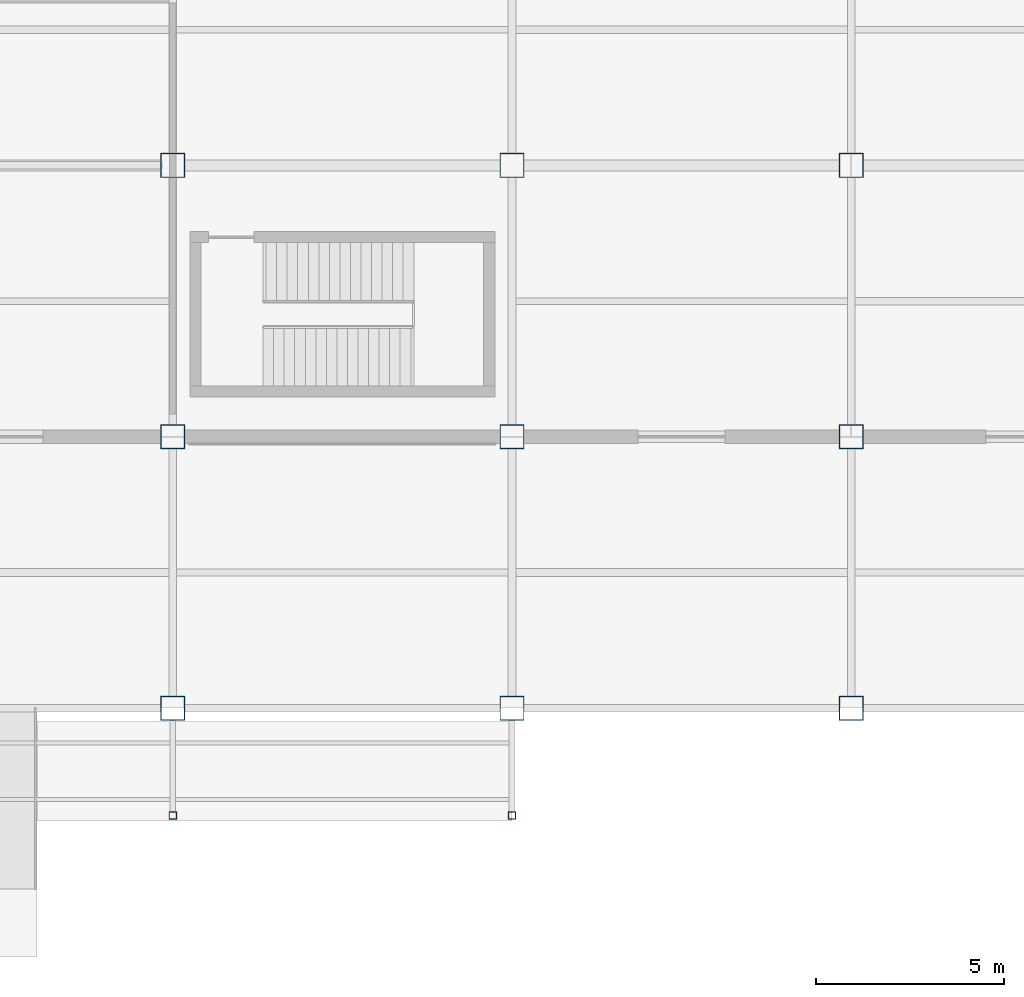
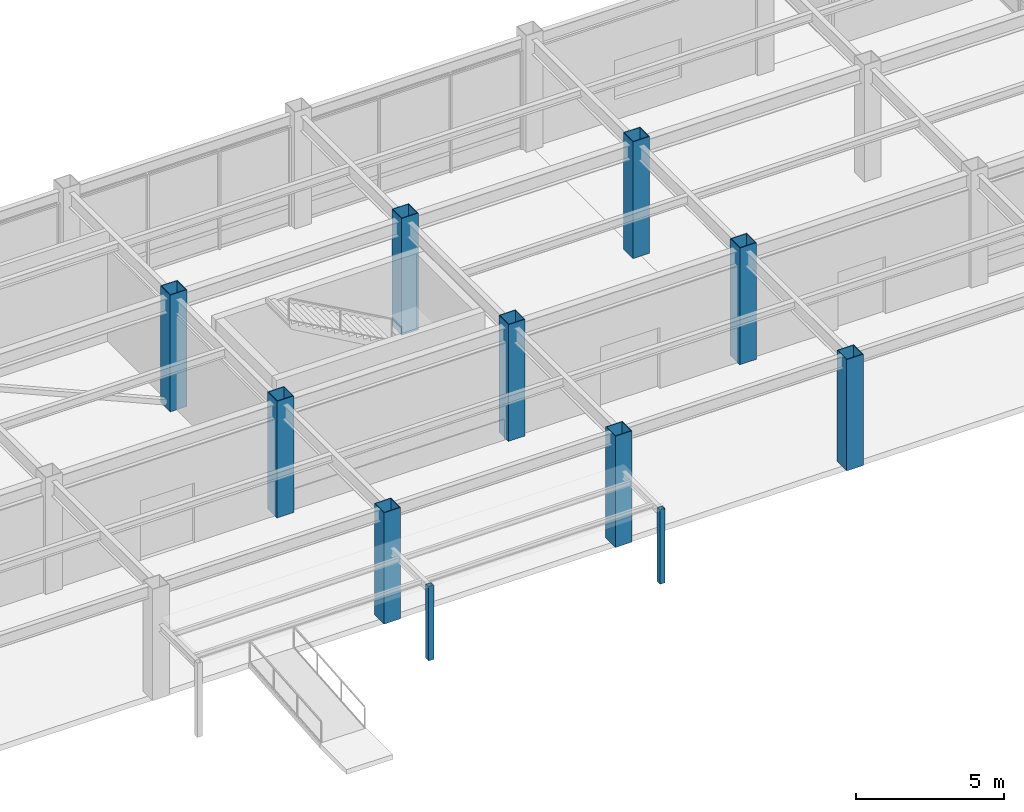
# One storey, part 6 of 112: 11 columns.
"""IFC4 building model written with IfcOpenShell, lengths in metres."""

from ifc_helpers import new_model, si_unit, direction, frame, origin, origin_2d, place, context, subcontext, project, spatial, hollow_rectangle, extrude, material, material_profile, profile_set, type_object, element, save


model = new_model("IFC4")

# Units and contexts
model_context = context("Model", 3, precision=1e-05, world=origin(), true_north=direction((0.0, 1.0)))
body_context = subcontext(model_context, "Body", "Model", "MODEL_VIEW")
ifc_project = project(units=[si_unit("LENGTHUNIT", "METRE"), si_unit("AREAUNIT", "SQUARE_METRE"), si_unit("VOLUMEUNIT", "CUBIC_METRE"), si_unit("PLANEANGLEUNIT", "RADIAN"), si_unit("MASSUNIT", "GRAM", prefix="KILO")], contexts=[model_context])

# Site, building, storey
site_placement = place(None, origin())
site = spatial("IfcSite", under=ifc_project, at=site_placement, CompositionType="ELEMENT")
building_placement = place(site_placement, origin())
building = spatial("IfcBuilding", under=site, at=building_placement, Name="Kazanami Central Library", CompositionType="ELEMENT")
storey_placement = place(building_placement, origin())
storey = spatial("IfcBuildingStorey", under=building, at=storey_placement, Name="L01", CompositionType="ELEMENT", Elevation=0.0)

# Columns
ifc_material_1 = material(Name="Steel BCP325 (325 MPa)", Category="steel")
ifc_material_profile_1 = material_profile(ifc_material_1, hollow_rectangle(XDim=0.64990234375, YDim=0.64990234375, WallThickness=0.02490234375, at=origin_2d()), Name="BCP-650x650x25")
ifc_profile_set_1 = profile_set([ifc_material_profile_1], Name="Steel BCP325 (325 MPa)")
column_type_1 = type_object("IfcColumnType", Name="COL-C-P1I", PredefinedType="COLUMN", material=ifc_profile_set_1)
column_1_placement = place(storey_placement, frame((72.0, 14.39990234375, 0.0), z_axis=(0.0, 0.0, 1.0), x_axis=(1.0, 0.0, 0.0)))
element("IfcColumn", 1, at=column_1_placement, inside=storey, type_object=column_type_1, Name="Column C-P1I L01 9/C", PredefinedType="COLUMN", context=body_context, shape_type="SweptSolid", body=[
    extrude(hollow_rectangle(XDim=0.64990234375, YDim=0.64990234375, WallThickness=0.02490234375, at=origin_2d()), origin(), (0.0, 0.0, 1.0), 4.580078125),
])
for number, where, z_axis, x_axis, name in (
    (2, (72.0, 21.60009765625, 0.0), (0.0, 0.0, 1.0), (1.0, 0.0, 0.0), "Column C-P1I L01 9/D"),
    (3, (72.0, 28.800048828125, 0.0), (0.0, 0.0, 1.0), (1.0, 0.0, 0.0), "Column C-P1I L01 9/E"),
):
    element("IfcColumn", number, at=place(storey_placement, frame(where, z_axis=z_axis, x_axis=x_axis)), inside=storey, type_object=column_type_1, Name=name, PredefinedType="COLUMN", context=body_context, shape_type="SweptSolid", body=[
        extrude(hollow_rectangle(XDim=0.64990234375, YDim=0.64990234375, WallThickness=0.02490234375, at=origin_2d()), origin(), (0.0, 0.0, 1.0), 4.800048828125),
    ])
column_2_placement = place(storey_placement, frame((81.0, 14.39990234375, 0.0), z_axis=(0.0, 0.0, 1.0), x_axis=(1.0, 0.0, 0.0)))
element("IfcColumn", 4, at=column_2_placement, inside=storey, type_object=column_type_1, Name="Column C-P1I L01 10/C", PredefinedType="COLUMN", context=body_context, shape_type="SweptSolid", body=[
    extrude(hollow_rectangle(XDim=0.64990234375, YDim=0.64990234375, WallThickness=0.02490234375, at=origin_2d()), origin(), (0.0, 0.0, 1.0), 4.580078125),
])
for number, where, z_axis, x_axis, name in (
    (5, (81.0, 21.60009765625, 0.0), (0.0, 0.0, 1.0), (1.0, 0.0, 0.0), "Column C-P1I L01 10/D"),
    (6, (81.0, 28.800048828125, 0.0), (0.0, 0.0, 1.0), (1.0, 0.0, 0.0), "Column C-P1I L01 10/E"),
):
    element("IfcColumn", number, at=place(storey_placement, frame(where, z_axis=z_axis, x_axis=x_axis)), inside=storey, type_object=column_type_1, Name=name, PredefinedType="COLUMN", context=body_context, shape_type="SweptSolid", body=[
        extrude(hollow_rectangle(XDim=0.64990234375, YDim=0.64990234375, WallThickness=0.02490234375, at=origin_2d()), origin(), (0.0, 0.0, 1.0), 4.800048828125),
    ])
column_3_placement = place(storey_placement, frame((90.0, 14.39990234375, 0.0), z_axis=(0.0, 0.0, 1.0), x_axis=(1.0, 0.0, 0.0)))
element("IfcColumn", 7, at=column_3_placement, inside=storey, type_object=column_type_1, Name="Column C-P1I L01 11/C", PredefinedType="COLUMN", context=body_context, shape_type="SweptSolid", body=[
    extrude(hollow_rectangle(XDim=0.64990234375, YDim=0.64990234375, WallThickness=0.02490234375, at=origin_2d()), origin(), (0.0, 0.0, 1.0), 4.580078125),
])
for number, where, z_axis, x_axis, name in (
    (8, (90.0, 21.60009765625, 0.0), (0.0, 0.0, 1.0), (1.0, 0.0, 0.0), "Column C-P1I L01 11/D"),
    (9, (90.0, 28.800048828125, 0.0), (0.0, 0.0, 1.0), (1.0, 0.0, 0.0), "Column C-P1I L01 11/E"),
):
    element("IfcColumn", number, at=place(storey_placement, frame(where, z_axis=z_axis, x_axis=x_axis)), inside=storey, type_object=column_type_1, Name=name, PredefinedType="COLUMN", context=body_context, shape_type="SweptSolid", body=[
        extrude(hollow_rectangle(XDim=0.64990234375, YDim=0.64990234375, WallThickness=0.02490234375, at=origin_2d()), origin(), (0.0, 0.0, 1.0), 4.800048828125),
    ])
ifc_material_2 = material(Name="Steel STK490 (315 MPa)", Category="steel")
ifc_material_profile_2 = material_profile(ifc_material_2, hollow_rectangle(XDim=0.199951171875, YDim=0.199951171875, WallThickness=0.009033203125, at=origin_2d()), Name="STKR-200x200x9")
ifc_profile_set_2 = profile_set([ifc_material_profile_2], Name="Steel STK490 (315 MPa)")
column_type_2 = type_object("IfcColumnType", Name="COL-CAN-200", PredefinedType="COLUMN", material=ifc_profile_set_2)
for number, where, z_axis, x_axis, name in (
    (10, (72.0, 11.550048828125, 0.0), (0.0, 0.0, 1.0), (1.0, 0.0, 0.0), "Canopy Post CAN-V1-SOUTH X=72"),
    (11, (81.0, 11.550048828125, 0.0), (0.0, 0.0, 1.0), (1.0, 0.0, 0.0), "Canopy Post CAN-V1-SOUTH X=81"),
):
    element("IfcColumn", number, at=place(storey_placement, frame(where, z_axis=z_axis, x_axis=x_axis)), inside=storey, type_object=column_type_2, Name=name, PredefinedType="COLUMN", context=body_context, shape_type="SweptSolid", body=[
        extrude(hollow_rectangle(XDim=0.199951171875, YDim=0.199951171875, WallThickness=0.009033203125, at=origin_2d()), origin(), (0.0, 0.0, 1.0), 3.050048828125),
    ])

save(model, "model.ifc")
